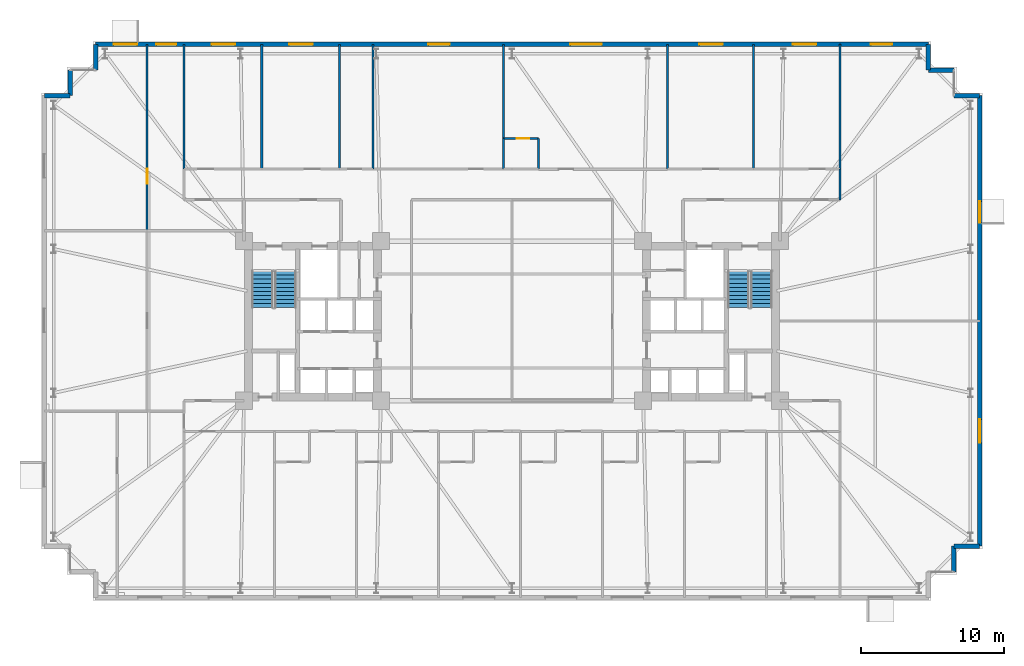
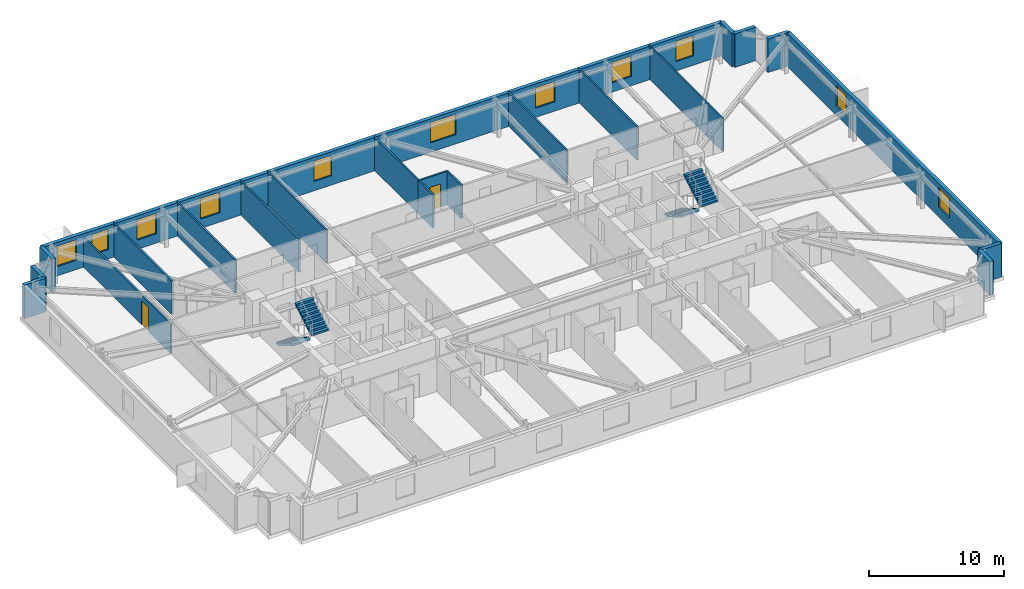
# One storey, part 18 of 20: 23 walls, 11 windows, 4 stair flights, 2 doors, 13 openings, 2 elements without a shape of their own.
"""IFC4 building model written with IfcOpenShell, lengths in metres."""

from ifc_helpers import new_model, si_unit, direction, frame, frame_2d, origin, place, context, subcontext, project, spatial, polyline, rectangle, outline, extrude, material, layer, layer_set, type_object, element, fill, aggregate, save


model = new_model("IFC4")

# Units and contexts
model_context = context("Model", 3, precision=1e-05, world=origin(), true_north=direction((0.0, 1.0)))
body_context = subcontext(model_context, "Body", "Model", "MODEL_VIEW")
ifc_project = project(units=[si_unit("LENGTHUNIT", "METRE"), si_unit("AREAUNIT", "SQUARE_METRE"), si_unit("VOLUMEUNIT", "CUBIC_METRE"), si_unit("PLANEANGLEUNIT", "RADIAN"), si_unit("MASSUNIT", "GRAM", prefix="KILO")], contexts=[model_context])

# Site, building, storey
site_placement = place(None, origin())
site = spatial("IfcSite", under=ifc_project, at=site_placement, CompositionType="ELEMENT")
building_placement = place(site_placement, origin())
building = spatial("IfcBuilding", under=site, at=building_placement, Name="Qobustan Lattice House", CompositionType="ELEMENT")
storey_placement = place(building_placement, frame((0.0, 0.0, 67.199951171875)))
storey = spatial("IfcBuildingStorey", under=building, at=storey_placement, Name="L18", CompositionType="ELEMENT", Elevation=67.199951171875)

# Walls
ifc_material_1 = material(Name="Precast concrete C40/50", Category="concrete")
ifc_layer_1 = layer(ifc_material_1, 0.320068359375)
ifc_layer_set_1 = layer_set([ifc_layer_1], Name="Precast concrete C40/50")
wall_type_1 = type_object("IfcWallType", Name="WAL-EXT-STONE-320", PredefinedType="SOLIDWALL", material=ifc_layer_set_1)
for number, where, z_axis, x_axis, name in (
    (1, (-32.800048828125, 15.800048828125, 0.0), (0.0, 0.0, 1.0), (1.0, 0.0, 0.0), "L18 exterior limestone-clad wall 6"),
    (2, (-31.0, 15.800048828125, 0.0), (0.0, 0.0, 1.0), (0.0, 1.0, 0.0), "L18 exterior limestone-clad wall 7"),
):
    element("IfcWall", number, at=place(storey_placement, frame(where, z_axis=z_axis, x_axis=x_axis)), inside=storey, type_object=wall_type_1, Name=name, PredefinedType="SOLIDWALL", context=body_context, shape_type="SweptSolid", body=[
        extrude(rectangle(XDim=1.800048828125, YDim=0.320068359375, at=frame_2d((0.89990234375, 0.0))), origin(), (0.0, 0.0, 1.0), 3.03515625),
    ])
wall_1_placement = place(storey_placement, frame((-29.199951171875, 17.60009765625, 0.0), z_axis=(0.0, 0.0, 1.0), x_axis=(0.0, 1.0, 0.0)))
element("IfcWall", 3, at=wall_1_placement, inside=storey, type_object=wall_type_1, Name="L18 exterior limestone-clad wall 9", PredefinedType="SOLIDWALL", context=body_context, shape_type="SweptSolid", body=[
    extrude(rectangle(XDim=1.7998046875, YDim=0.320068359375, at=frame_2d((0.89990234375, 0.0))), origin(), (0.0, 0.0, 1.0), 3.03515625),
])

# Wall, openings, windows
wall_2_placement = place(storey_placement, frame((-29.199951171875, 19.39990234375, 0.0), z_axis=(0.0, 0.0, 1.0), x_axis=(1.0, 0.0, 0.0)))
wall_2 = element("IfcWall", 4, at=wall_2_placement, inside=storey, type_object=wall_type_1, Name="L18 exterior limestone-clad wall 10", PredefinedType="SOLIDWALL", context=body_context, shape_type="SweptSolid", body=[
    extrude(rectangle(XDim=58.39990234375, YDim=0.320068359375, at=frame_2d((29.199951171875, 0.0))), origin(), (0.0, 0.0, 1.0), 3.03515625),
])
opening_1_placement = place(wall_2_placement, frame((1.2548828125, 0.0, 0.85009765625)))
opening_1 = element("IfcOpeningElement", 5, at=opening_1_placement, cuts=wall_2, Name="Opening WN-09", PredefinedType="OPENING", context=body_context, shape_type="SweptSolid", body=[
    extrude(rectangle(XDim=1.64990234375, YDim=1.85009765625, at=frame_2d((0.824951171875, 0.925048828125))), frame((0.0, 0.169921875, 0.0), z_axis=(0.0, -1.0, 0.0), x_axis=(1.0, 0.0, 0.0)), (0.0, 0.0, 1.0), 0.340087890625),
])
opening_2_placement = place(wall_2_placement, frame((4.260009765625, 0.0, 0.85009765625)))
opening_2 = element("IfcOpeningElement", 6, at=opening_2_placement, cuts=wall_2, Name="Opening WN-12", PredefinedType="OPENING", context=body_context, shape_type="SweptSolid", body=[
    extrude(rectangle(XDim=1.39990234375, YDim=1.85009765625, at=frame_2d((0.699951171875, 0.925048828125))), frame((0.0, 0.169921875, 0.0), z_axis=(0.0, -1.0, 0.0), x_axis=(1.0, 0.0, 0.0)), (0.0, 0.0, 1.0), 0.340087890625),
])
opening_3_placement = place(wall_2_placement, frame((8.135009765625, 0.0, 0.85009765625)))
opening_3 = element("IfcOpeningElement", 7, at=opening_3_placement, cuts=wall_2, Name="Opening WN-09", PredefinedType="OPENING", context=body_context, shape_type="SweptSolid", body=[
    extrude(rectangle(XDim=1.64990234375, YDim=1.85009765625, at=frame_2d((0.824951171875, 0.925048828125))), frame((0.0, 0.169921875, 0.0), z_axis=(0.0, -1.0, 0.0), x_axis=(1.0, 0.0, 0.0)), (0.0, 0.0, 1.0), 0.340087890625),
])
opening_4_placement = place(wall_2_placement, frame((13.574951171875, 0.0, 0.85009765625)))
opening_4 = element("IfcOpeningElement", 8, at=opening_4_placement, cuts=wall_2, Name="Opening WN-09", PredefinedType="OPENING", context=body_context, shape_type="SweptSolid", body=[
    extrude(rectangle(XDim=1.64990234375, YDim=1.85009765625, at=frame_2d((0.824951171875, 0.925048828125))), frame((0.0, 0.169921875, 0.0), z_axis=(0.0, -1.0, 0.0), x_axis=(1.0, 0.0, 0.0)), (0.0, 0.0, 1.0), 0.340087890625),
])
opening_5_placement = place(wall_2_placement, frame((23.330078125, 0.0, 0.85009765625)))
opening_5 = element("IfcOpeningElement", 9, at=opening_5_placement, cuts=wall_2, Name="Opening WN-01", PredefinedType="OPENING", context=body_context, shape_type="SweptSolid", body=[
    extrude(rectangle(XDim=1.5, YDim=1.85009765625, at=frame_2d((0.75, 0.925048828125))), frame((0.0, 0.169921875, 0.0), z_axis=(0.0, -1.0, 0.0), x_axis=(1.0, 0.0, 0.0)), (0.0, 0.0, 1.0), 0.340087890625),
])
opening_6_placement = place(wall_2_placement, frame((33.300048828125, 0.0, 0.85009765625)))
opening_6 = element("IfcOpeningElement", 10, at=opening_6_placement, cuts=wall_2, Name="Opening WN-03", PredefinedType="OPENING", context=body_context, shape_type="SweptSolid", body=[
    extrude(rectangle(XDim=2.199951171875, YDim=1.85009765625, at=frame_2d((1.10009765625, 0.925048828125))), frame((0.0, 0.169921875, 0.0), z_axis=(0.0, -1.0, 0.0), x_axis=(1.0, 0.0, 0.0)), (0.0, 0.0, 1.0), 0.340087890625),
])
opening_7_placement = place(wall_2_placement, frame((42.3349609375, 0.0, 0.85009765625)))
opening_7 = element("IfcOpeningElement", 11, at=opening_7_placement, cuts=wall_2, Name="Opening WN-09", PredefinedType="OPENING", context=body_context, shape_type="SweptSolid", body=[
    extrude(rectangle(XDim=1.64990234375, YDim=1.85009765625, at=frame_2d((0.824951171875, 0.925048828125))), frame((0.0, 0.169921875, 0.0), z_axis=(0.0, -1.0, 0.0), x_axis=(1.0, 0.0, 0.0)), (0.0, 0.0, 1.0), 0.340087890625),
])
opening_8_placement = place(wall_2_placement, frame((48.904541015625, 0.0, 0.85009765625)))
opening_8 = element("IfcOpeningElement", 12, at=opening_8_placement, cuts=wall_2, Name="Opening WN-09", PredefinedType="OPENING", context=body_context, shape_type="SweptSolid", body=[
    extrude(rectangle(XDim=1.64990234375, YDim=1.85009765625, at=frame_2d((0.824951171875, 0.925048828125))), frame((0.0, 0.169921875, 0.0), z_axis=(0.0, -1.0, 0.0), x_axis=(1.0, 0.0, 0.0)), (0.0, 0.0, 1.0), 0.340087890625),
])
opening_9_placement = place(wall_2_placement, frame((54.3701171875, 0.0, 0.85009765625)))
opening_9 = element("IfcOpeningElement", 13, at=opening_9_placement, cuts=wall_2, Name="Opening WN-01", PredefinedType="OPENING", context=body_context, shape_type="SweptSolid", body=[
    extrude(rectangle(XDim=1.5, YDim=1.85009765625, at=frame_2d((0.75, 0.925048828125))), frame((0.0, 0.169921875, 0.0), z_axis=(0.0, -1.0, 0.0), x_axis=(1.0, 0.0, 0.0)), (0.0, 0.0, 1.0), 0.340087890625),
])
ifc_material_2 = material(Name="Double-glazed low-E aluminium window", Category="aluminium")
window_type_1 = type_object("IfcWindowType", Name="WIN-BED-1400x1850", PartitioningType="SINGLE_PANEL", PredefinedType="WINDOW", material=ifc_material_2)
window_1_placement = place(opening_2_placement, origin())
window_1 = element("IfcWindow", 14, at=window_1_placement, inside=storey, type_object=window_type_1, Name="L18 Focus study room W3B window", OverallHeight=1.85009765625, OverallWidth=1.39990234375, PartitioningType="SINGLE_PANEL", PredefinedType="WINDOW", context=body_context, shape_type="SweptSolid", body=[
    extrude(rectangle(XDim=1.39990234375, YDim=1.85009765625, at=frame_2d((0.699951171875, 0.925048828125))), frame((0.0, 0.030029296875, 0.0), z_axis=(0.0, -1.0, 0.0), x_axis=(1.0, 0.0, 0.0)), (0.0, 0.0, 1.0), 0.06005859375),
])
fill(opening_2, window_1)
ifc_material_3 = material(Name="Double-glazed low-E aluminium window", Category="aluminium")
window_type_2 = type_object("IfcWindowType", Name="WIN-BED-1500x1850", PartitioningType="SINGLE_PANEL", PredefinedType="WINDOW", material=ifc_material_3)
window_2_placement = place(opening_5_placement, origin())
window_2 = element("IfcWindow", 15, at=window_2_placement, inside=storey, type_object=window_type_2, Name="L18 Laundry utility room window", OverallHeight=1.85009765625, OverallWidth=1.5, PartitioningType="SINGLE_PANEL", PredefinedType="WINDOW", context=body_context, shape_type="SweptSolid", body=[
    extrude(rectangle(XDim=1.5, YDim=1.85009765625, at=frame_2d((0.75, 0.925048828125))), frame((0.0, 0.030029296875, 0.0), z_axis=(0.0, -1.0, 0.0), x_axis=(1.0, 0.0, 0.0)), (0.0, 0.0, 1.0), 0.06005859375),
])
fill(opening_5, window_2)
window_3_placement = place(opening_9_placement, origin())
window_3 = element("IfcWindow", 16, at=window_3_placement, inside=storey, type_object=window_type_2, Name="L18 Music and podcast studio window", OverallHeight=1.85009765625, OverallWidth=1.5, PartitioningType="SINGLE_PANEL", PredefinedType="WINDOW", context=body_context, shape_type="SweptSolid", body=[
    extrude(rectangle(XDim=1.5, YDim=1.85009765625, at=frame_2d((0.75, 0.925048828125))), frame((0.0, 0.030029296875, 0.0), z_axis=(0.0, -1.0, 0.0), x_axis=(1.0, 0.0, 0.0)), (0.0, 0.0, 1.0), 0.06005859375),
])
fill(opening_9, window_3)
ifc_material_4 = material(Name="Double-glazed low-E aluminium window", Category="aluminium")
window_type_3 = type_object("IfcWindowType", Name="WIN-STU-1650x1850", PartitioningType="SINGLE_PANEL", PredefinedType="WINDOW", material=ifc_material_4)
window_4_placement = place(opening_1_placement, origin())
window_4 = element("IfcWindow", 17, at=window_4_placement, inside=storey, type_object=window_type_3, Name="L18 Focus study room W3A window", OverallHeight=1.85009765625, OverallWidth=1.64990234375, PartitioningType="SINGLE_PANEL", PredefinedType="WINDOW", context=body_context, shape_type="SweptSolid", body=[
    extrude(rectangle(XDim=1.64990234375, YDim=1.85009765625, at=frame_2d((0.824951171875, 0.925048828125))), frame((0.0, 0.030029296875, 0.0), z_axis=(0.0, -1.0, 0.0), x_axis=(1.0, 0.0, 0.0)), (0.0, 0.0, 1.0), 0.06005859375),
])
fill(opening_1, window_4)
window_5_placement = place(opening_3_placement, origin())
window_5 = element("IfcWindow", 18, at=window_5_placement, inside=storey, type_object=window_type_3, Name="L18 Focus study room N1A window", OverallHeight=1.85009765625, OverallWidth=1.64990234375, PartitioningType="SINGLE_PANEL", PredefinedType="WINDOW", context=body_context, shape_type="SweptSolid", body=[
    extrude(rectangle(XDim=1.64990234375, YDim=1.85009765625, at=frame_2d((0.824951171875, 0.925048828125))), frame((0.0, 0.030029296875, 0.0), z_axis=(0.0, -1.0, 0.0), x_axis=(1.0, 0.0, 0.0)), (0.0, 0.0, 1.0), 0.06005859375),
])
fill(opening_3, window_5)
window_6_placement = place(opening_4_placement, origin())
window_6 = element("IfcWindow", 19, at=window_6_placement, inside=storey, type_object=window_type_3, Name="L18 Focus study room N1B window", OverallHeight=1.85009765625, OverallWidth=1.64990234375, PartitioningType="SINGLE_PANEL", PredefinedType="WINDOW", context=body_context, shape_type="SweptSolid", body=[
    extrude(rectangle(XDim=1.64990234375, YDim=1.85009765625, at=frame_2d((0.824951171875, 0.925048828125))), frame((0.0, 0.030029296875, 0.0), z_axis=(0.0, -1.0, 0.0), x_axis=(1.0, 0.0, 0.0)), (0.0, 0.0, 1.0), 0.06005859375),
])
fill(opening_4, window_6)
window_7_placement = place(opening_7_placement, origin())
window_7 = element("IfcWindow", 20, at=window_7_placement, inside=storey, type_object=window_type_3, Name="L18 Focus study room N4A window", OverallHeight=1.85009765625, OverallWidth=1.64990234375, PartitioningType="SINGLE_PANEL", PredefinedType="WINDOW", context=body_context, shape_type="SweptSolid", body=[
    extrude(rectangle(XDim=1.64990234375, YDim=1.85009765625, at=frame_2d((0.824951171875, 0.925048828125))), frame((0.0, 0.030029296875, 0.0), z_axis=(0.0, -1.0, 0.0), x_axis=(1.0, 0.0, 0.0)), (0.0, 0.0, 1.0), 0.06005859375),
])
fill(opening_7, window_7)
window_8_placement = place(opening_8_placement, origin())
window_8 = element("IfcWindow", 21, at=window_8_placement, inside=storey, type_object=window_type_3, Name="L18 Focus study room N4B window", OverallHeight=1.85009765625, OverallWidth=1.64990234375, PartitioningType="SINGLE_PANEL", PredefinedType="WINDOW", context=body_context, shape_type="SweptSolid", body=[
    extrude(rectangle(XDim=1.64990234375, YDim=1.85009765625, at=frame_2d((0.824951171875, 0.925048828125))), frame((0.0, 0.030029296875, 0.0), z_axis=(0.0, -1.0, 0.0), x_axis=(1.0, 0.0, 0.0)), (0.0, 0.0, 1.0), 0.06005859375),
])
fill(opening_8, window_8)
ifc_material_5 = material(Name="Double-glazed low-E aluminium window", Category="aluminium")
window_type_4 = type_object("IfcWindowType", Name="WIN-WIDE-2200x1850", PartitioningType="SINGLE_PANEL", PredefinedType="WINDOW", material=ifc_material_5)
window_9_placement = place(opening_6_placement, origin())
window_9 = element("IfcWindow", 22, at=window_9_placement, inside=storey, type_object=window_type_4, Name="L18 Kitchenette and studio apartment L18-N3 window", OverallHeight=1.85009765625, OverallWidth=2.199951171875, PartitioningType="SINGLE_PANEL", PredefinedType="WINDOW", context=body_context, shape_type="SweptSolid", body=[
    extrude(rectangle(XDim=2.199951171875, YDim=1.85009765625, at=frame_2d((1.10009765625, 0.925048828125))), frame((0.0, 0.030029296875, 0.0), z_axis=(0.0, -1.0, 0.0), x_axis=(1.0, 0.0, 0.0)), (0.0, 0.0, 1.0), 0.06005859375),
])
fill(opening_6, window_9)

# Walls
wall_3_placement = place(storey_placement, frame((29.199951171875, 19.39990234375, 0.0), z_axis=(0.0, 0.0, 1.0), x_axis=(0.0, -1.0, 0.0)))
element("IfcWall", 23, at=wall_3_placement, inside=storey, type_object=wall_type_1, Name="L18 exterior limestone-clad wall 11", PredefinedType="SOLIDWALL", context=body_context, shape_type="SweptSolid", body=[
    extrude(rectangle(XDim=1.7998046875, YDim=0.320068359375, at=frame_2d((0.89990234375, 0.0))), origin(), (0.0, 0.0, 1.0), 3.03515625),
])
for number, where, z_axis, x_axis, name in (
    (24, (29.199951171875, 17.60009765625, 0.0), (0.0, 0.0, 1.0), (1.0, 0.0, 0.0), "L18 exterior limestone-clad wall 12"),
    (25, (31.0, 15.800048828125, 0.0), (0.0, 0.0, 1.0), (1.0, 0.0, 0.0), "L18 exterior limestone-clad wall 14"),
):
    element("IfcWall", number, at=place(storey_placement, frame(where, z_axis=z_axis, x_axis=x_axis)), inside=storey, type_object=wall_type_1, Name=name, PredefinedType="SOLIDWALL", context=body_context, shape_type="SweptSolid", body=[
        extrude(rectangle(XDim=1.800048828125, YDim=0.320068359375, at=frame_2d((0.89990234375, 0.0))), origin(), (0.0, 0.0, 1.0), 3.03515625),
    ])

# Wall, openings, windows
wall_4_placement = place(storey_placement, frame((32.800048828125, 15.800048828125, 0.0), z_axis=(0.0, 0.0, 1.0), x_axis=(0.0, -1.0, 0.0)))
wall_4 = element("IfcWall", 26, at=wall_4_placement, inside=storey, type_object=wall_type_1, Name="L18 exterior limestone-clad wall 15", PredefinedType="SOLIDWALL", context=body_context, shape_type="SweptSolid", body=[
    extrude(rectangle(XDim=31.60009765625, YDim=0.320068359375, at=frame_2d((15.800048828125, 0.0))), origin(), (0.0, 0.0, 1.0), 3.03515625),
])
opening_10_placement = place(wall_4_placement, frame((7.409912109375, 0.0, 0.85009765625)))
opening_10 = element("IfcOpeningElement", 27, at=opening_10_placement, cuts=wall_4, Name="Opening WN-01", PredefinedType="OPENING", context=body_context, shape_type="SweptSolid", body=[
    extrude(rectangle(XDim=1.5, YDim=1.85009765625, at=frame_2d((0.75, 0.925048828125))), frame((0.0, 0.169921875, 0.0), z_axis=(0.0, -1.0, 0.0), x_axis=(1.0, 0.0, 0.0)), (0.0, 0.0, 1.0), 0.340087890625),
])
opening_11_placement = place(wall_4_placement, frame((22.695068359375, 0.0, 0.85009765625)))
opening_11 = element("IfcOpeningElement", 28, at=opening_11_placement, cuts=wall_4, Name="Opening WN-09", PredefinedType="OPENING", context=body_context, shape_type="SweptSolid", body=[
    extrude(rectangle(XDim=1.64990234375, YDim=1.85009765625, at=frame_2d((0.824951171875, 0.925048828125))), frame((0.0, 0.169921875, 0.0), z_axis=(0.0, -1.0, 0.0), x_axis=(1.0, 0.0, 0.0)), (0.0, 0.0, 1.0), 0.340087890625),
])
window_10_placement = place(opening_10_placement, origin())
window_10 = element("IfcWindow", 29, at=window_10_placement, inside=storey, type_object=window_type_2, Name="L18 Music and podcast studio window", OverallHeight=1.85009765625, OverallWidth=1.5, PartitioningType="SINGLE_PANEL", PredefinedType="WINDOW", context=body_context, shape_type="SweptSolid", body=[
    extrude(rectangle(XDim=1.5, YDim=1.85009765625, at=frame_2d((0.75, 0.925048828125))), frame((0.0, 0.030029296875, 0.0), z_axis=(0.0, -1.0, 0.0), x_axis=(1.0, 0.0, 0.0)), (0.0, 0.0, 1.0), 0.06005859375),
])
fill(opening_10, window_10)
window_11_placement = place(opening_11_placement, origin())
window_11 = element("IfcWindow", 30, at=window_11_placement, inside=storey, type_object=window_type_3, Name="L18 Academic seminar room window", OverallHeight=1.85009765625, OverallWidth=1.64990234375, PartitioningType="SINGLE_PANEL", PredefinedType="WINDOW", context=body_context, shape_type="SweptSolid", body=[
    extrude(rectangle(XDim=1.64990234375, YDim=1.85009765625, at=frame_2d((0.824951171875, 0.925048828125))), frame((0.0, 0.030029296875, 0.0), z_axis=(0.0, -1.0, 0.0), x_axis=(1.0, 0.0, 0.0)), (0.0, 0.0, 1.0), 0.06005859375),
])
fill(opening_11, window_11)

# Walls
for number, where, z_axis, x_axis, name in (
    (31, (32.800048828125, -15.800048828125, 0.0), (0.0, 0.0, 1.0), (-1.0, 0.0, 0.0), "L18 exterior limestone-clad wall 16"),
    (32, (31.0, -15.800048828125, 0.0), (0.0, 0.0, 1.0), (0.0, -1.0, 0.0), "L18 exterior limestone-clad wall 17"),
):
    element("IfcWall", number, at=place(storey_placement, frame(where, z_axis=z_axis, x_axis=x_axis)), inside=storey, type_object=wall_type_1, Name=name, PredefinedType="SOLIDWALL", context=body_context, shape_type="SweptSolid", body=[
        extrude(rectangle(XDim=1.800048828125, YDim=0.320068359375, at=frame_2d((0.89990234375, 0.0))), origin(), (0.0, 0.0, 1.0), 3.03515625),
    ])
ifc_material_6 = material(Name="Lightweight acoustic stud partition", Category="gypsum")
ifc_layer_2 = layer(ifc_material_6, 0.125)
ifc_layer_set_2 = layer_set([ifc_layer_2], Name="Lightweight acoustic stud partition")
wall_type_2 = type_object("IfcWallType", Name="WAL-PART-125", PredefinedType="PARTITIONING", material=ifc_layer_set_2)
wall_5_placement = place(storey_placement, frame((23.0, 10.64990234375, 0.0), z_axis=(0.0, 0.0, 1.0), x_axis=(0.0, -1.0, 0.0)))
element("IfcWall", 33, at=wall_5_placement, inside=storey, type_object=wall_type_2, Name="L18 interior partition 48", PredefinedType="PARTITIONING", context=body_context, shape_type="SweptSolid", body=[
    extrude(rectangle(XDim=2.14990234375, YDim=0.125, at=frame_2d((1.074951171875, 0.0))), origin(), (0.0, 0.0, 1.0), 3.03515625),
])
wall_6_placement = place(storey_placement, frame((23.0, 10.64990234375, 0.0), z_axis=(0.0, 0.0, 1.0), x_axis=(0.0, 1.0, 0.0)))
element("IfcWall", 34, at=wall_6_placement, inside=storey, type_object=wall_type_2, Name="L18 interior partition 90", PredefinedType="PARTITIONING", context=body_context, shape_type="SweptSolid", body=[
    extrude(rectangle(XDim=8.75, YDim=0.125, at=frame_2d((4.375, 0.0))), origin(), (0.0, 0.0, 1.0), 3.03515625),
])

# Wall, opening, door
ifc_material_7 = material(Name="Acoustic twin-stud gypsum partition", Category="gypsum")
ifc_layer_3 = layer(ifc_material_7, 0.14990234375)
ifc_layer_set_3 = layer_set([ifc_layer_3], Name="Acoustic twin-stud gypsum partition")
wall_type_3 = type_object("IfcWallType", Name="WAL-PART-150", PredefinedType="PARTITIONING", material=ifc_layer_set_3)
wall_7_placement = place(storey_placement, frame((-25.590087890625, 19.39990234375, 0.0), z_axis=(0.0, 0.0, 1.0), x_axis=(0.0, -1.0, 0.0)))
wall_7 = element("IfcWall", 35, at=wall_7_placement, inside=storey, type_object=wall_type_3, Name="L18 interior partition 86", PredefinedType="PARTITIONING", context=body_context, shape_type="SweptSolid", body=[
    extrude(rectangle(XDim=13.072998046875, YDim=0.14990234375, at=frame_2d((6.53662109375, 0.0))), origin(), (0.0, 0.0, 1.0), 2.68994140625),
])
opening_12_placement = place(wall_7_placement, frame((8.727294921875, 0.0, 0.0)))
opening_12 = element("IfcOpeningElement", 36, at=opening_12_placement, cuts=wall_7, Name="Opening ID-02", PredefinedType="OPENING", context=body_context, shape_type="SweptSolid", body=[
    extrude(rectangle(XDim=1.050048828125, YDim=2.14990234375, at=frame_2d((0.52490234375, 1.074951171875))), frame((0.0, 0.0849609375, 0.0), z_axis=(0.0, -1.0, 0.0), x_axis=(1.0, 0.0, 0.0)), (0.0, 0.0, 1.0), 0.169921875),
])
ifc_material_8 = material(Name="Persian walnut timber and steel frame door", Category="steel")
door_type_1 = type_object("IfcDoorType", Name="DOR-STUDY-1050x2150", OperationType="NOTDEFINED", PredefinedType="DOOR", material=ifc_material_8)
door_1_placement = place(opening_12_placement, origin())
door_1 = element("IfcDoor", 37, at=door_1_placement, inside=storey, type_object=door_type_1, Name="L18 Focus study room W3A to Focus study room W3B door", OperationType="SINGLE_SWING_LEFT", OverallHeight=2.14990234375, OverallWidth=1.050048828125, PredefinedType="DOOR", context=body_context, shape_type="SweptSolid", body=[
    extrude(rectangle(XDim=1.050048828125, YDim=2.14990234375, at=frame_2d((0.52490234375, 1.074951171875))), frame((0.0, 0.02490234375, 0.0), z_axis=(0.0, -1.0, 0.0), x_axis=(1.0, 0.0, 0.0)), (0.0, 0.0, 1.0), 0.050048828125),
])
fill(opening_12, door_1)

# Walls
for number, where, z_axis, x_axis, name in (
    (38, (-23.0, 19.39990234375, 0.0), (0.0, 0.0, 1.0), (0.0, -1.0, 0.0), "L18 interior partition 87"),
    (39, (-17.550048828125, 19.39990234375, 0.0), (0.0, 0.0, 1.0), (0.0, -1.0, 0.0), "L18 interior partition 91"),
):
    element("IfcWall", number, at=place(storey_placement, frame(where, z_axis=z_axis, x_axis=x_axis)), inside=storey, type_object=wall_type_3, Name=name, PredefinedType="PARTITIONING", context=body_context, shape_type="SweptSolid", body=[
        extrude(rectangle(XDim=8.75, YDim=0.14990234375, at=frame_2d((4.375, 0.0))), origin(), (0.0, 0.0, 1.0), 3.03515625),
    ])
wall_8_placement = place(storey_placement, frame((-0.60009765625, 19.39990234375, 0.0), z_axis=(0.0, 0.0, 1.0), x_axis=(0.0, -1.0, 0.0)))
element("IfcWall", 40, at=wall_8_placement, inside=storey, type_object=wall_type_3, Name="L18 interior partition 94", PredefinedType="PARTITIONING", context=body_context, shape_type="SweptSolid", body=[
    extrude(rectangle(XDim=6.599853515625, YDim=0.14990234375, at=frame_2d((3.2998046875, 0.0))), origin(), (0.0, 0.0, 1.0), 3.03515625),
])
for number, where, z_axis, x_axis, name in (
    (41, (10.89990234375, 19.39990234375, 0.0), (0.0, 0.0, 1.0), (0.0, -1.0, 0.0), "L18 interior partition 98"),
    (42, (16.949951171875, 19.39990234375, 0.0), (0.0, 0.0, 1.0), (0.0, -1.0, 0.0), "L18 interior partition 99"),
):
    element("IfcWall", number, at=place(storey_placement, frame(where, z_axis=z_axis, x_axis=x_axis)), inside=storey, type_object=wall_type_3, Name=name, PredefinedType="PARTITIONING", context=body_context, shape_type="SweptSolid", body=[
        extrude(rectangle(XDim=8.75, YDim=0.14990234375, at=frame_2d((4.375, 0.0))), origin(), (0.0, 0.0, 1.0), 3.03515625),
    ])
ifc_material_9 = material(Name="Moisture-resistant acoustic plumbing wall", Category="gypsum")
ifc_layer_4 = layer(ifc_material_9, 0.14990234375)
ifc_layer_set_4 = layer_set([ifc_layer_4], Name="Moisture-resistant acoustic plumbing wall")
wall_type_4 = type_object("IfcWallType", Name="WAL-WET-150", PredefinedType="PLUMBINGWALL", material=ifc_layer_set_4)
for number, where, z_axis, x_axis, name in (
    (43, (-12.10009765625, 19.39990234375, 0.0), (0.0, 0.0, 1.0), (0.0, -1.0, 0.0), "L18 interior partition 92"),
    (44, (-9.75, 19.39990234375, 0.0), (0.0, 0.0, 1.0), (0.0, -1.0, 0.0), "L18 interior partition 93"),
):
    element("IfcWall", number, at=place(storey_placement, frame(where, z_axis=z_axis, x_axis=x_axis)), inside=storey, type_object=wall_type_4, Name=name, PredefinedType="PLUMBINGWALL", context=body_context, shape_type="SweptSolid", body=[
        extrude(rectangle(XDim=8.75, YDim=0.14990234375, at=frame_2d((4.375, 0.0))), origin(), (0.0, 0.0, 1.0), 3.03515625),
    ])
wall_9_placement = place(storey_placement, frame((-0.60009765625, 12.800048828125, 0.0), z_axis=(0.0, 0.0, 1.0), x_axis=(0.0, -1.0, 0.0)))
element("IfcWall", 45, at=wall_9_placement, inside=storey, type_object=wall_type_4, Name="L18 interior partition 95", PredefinedType="PLUMBINGWALL", context=body_context, shape_type="SweptSolid", body=[
    extrude(rectangle(XDim=2.150146484375, YDim=0.14990234375, at=frame_2d((1.0751953125, 0.0))), origin(), (0.0, 0.0, 1.0), 3.03515625),
])

# Wall, opening, door
wall_10_placement = place(storey_placement, frame((1.85009765625, 12.800048828125, 0.0), z_axis=(0.0, 0.0, 1.0), x_axis=(-1.0, 0.0, 0.0)))
wall_10 = element("IfcWall", 46, at=wall_10_placement, inside=storey, type_object=wall_type_4, Name="L18 interior partition 96", PredefinedType="PLUMBINGWALL", context=body_context, shape_type="SweptSolid", body=[
    extrude(rectangle(XDim=2.4501953125, YDim=0.14990234375, at=frame_2d((1.22509765625, 0.0))), origin(), (0.0, 0.0, 1.0), 3.03515625),
])
opening_13_placement = place(wall_10_placement, frame((0.62890625, 0.0, 0.0)))
opening_13 = element("IfcOpeningElement", 47, at=opening_13_placement, cuts=wall_10, Name="Opening WD-01", PredefinedType="OPENING", context=body_context, shape_type="SweptSolid", body=[
    extrude(rectangle(XDim=0.89990234375, YDim=2.10009765625, at=frame_2d((0.449951171875, 1.050048828125))), frame((0.0, 0.0849609375, 0.0), z_axis=(0.0, -1.0, 0.0), x_axis=(1.0, 0.0, 0.0)), (0.0, 0.0, 1.0), 0.169921875),
])
ifc_material_10 = material(Name="Persian walnut timber and steel frame door", Category="steel")
door_type_2 = type_object("IfcDoorType", Name="DOR-WET-900x2100", OperationType="NOTDEFINED", PredefinedType="DOOR", material=ifc_material_10)
door_2_placement = place(opening_13_placement, origin())
door_2 = element("IfcDoor", 48, at=door_2_placement, inside=storey, type_object=door_type_2, Name="L18 Kitchenette and studio apartment L18-N3 to En-suite bathroom L18-N3 door", OperationType="SINGLE_SWING_RIGHT", OverallHeight=2.10009765625, OverallWidth=0.89990234375, PredefinedType="DOOR", context=body_context, shape_type="SweptSolid", body=[
    extrude(rectangle(XDim=0.89990234375, YDim=2.10009765625, at=frame_2d((0.449951171875, 1.050048828125))), frame((0.0, 0.02490234375, 0.0), z_axis=(0.0, -1.0, 0.0), x_axis=(1.0, 0.0, 0.0)), (0.0, 0.0, 1.0), 0.050048828125),
])
fill(opening_13, door_2)

# Wall
wall_11_placement = place(storey_placement, frame((1.85009765625, 10.64990234375, 0.0), z_axis=(0.0, 0.0, 1.0), x_axis=(0.0, 1.0, 0.0)))
element("IfcWall", 49, at=wall_11_placement, inside=storey, type_object=wall_type_4, Name="L18 interior partition 97", PredefinedType="PLUMBINGWALL", context=body_context, shape_type="SweptSolid", body=[
    extrude(rectangle(XDim=2.150146484375, YDim=0.14990234375, at=frame_2d((1.0751953125, 0.0))), origin(), (0.0, 0.0, 1.0), 3.03515625),
])

# Stair, stair flights
ifc_material_11 = material(Name="Concrete C40/50", Category="concrete")
stair_type = type_object("IfcStairType", Name="STR-CORE-DOGLEG", PredefinedType="HALF_TURN_STAIR", material=ifc_material_11)
stair_1_placement = place(storey_placement, origin())
stair_1 = element("IfcStair", 50, at=stair_1_placement, inside=storey, type_object=stair_type, Name="L18 West protected exit stair ST-W1", PredefinedType="HALF_TURN_STAIR")
ifc_material_12 = material(Name="Concrete C40/50", Category="concrete")
stair_flight_type = type_object("IfcStairFlightType", Name="SFL-RC-1500", PredefinedType="STRAIGHT", material=ifc_material_12)
stair_flight_1_placement = place(storey_placement, frame((-17.5, 3.5, 0.0), z_axis=(0.0, 0.0, 1.0), x_axis=(0.0, -1.0, 0.0)))
stair_flight_1 = element("IfcStairFlight", 51, at=stair_flight_1_placement, type_object=stair_flight_type, Name="ST-W1 flight 1", NumberOfRisers=10, NumberOfTreads=9, PredefinedType="STRAIGHT", RiserHeight=0.1675, TreadLength=0.285, context=body_context, shape_type="SweptSolid", body=[
    extrude(outline(polyline([(0.0, 0.0), (0.0, 0.16748046875), (0.284912109375, 0.16748046875), (0.284912109375, 0.3349609375), (0.570068359375, 0.3349609375), (0.570068359375, 0.50244140625), (0.85498046875, 0.50244140625), (0.85498046875, 0.669921875), (1.139892578125, 0.669921875), (1.139892578125, 0.83740234375), (1.425048828125, 0.83740234375), (1.425048828125, 1.0048828125), (1.7099609375, 1.0048828125), (1.7099609375, 1.172607421875), (1.9951171875, 1.172607421875), (1.9951171875, 1.340087890625), (2.280029296875, 1.340087890625), (2.280029296875, 1.507568359375), (2.56494140625, 1.507568359375), (2.56494140625, 1.675048828125), (2.56494140625, 1.333740234375), (0.2958984375, 0.0), (0.0, 0.0)])), frame((0.0, 0.75, 0.0), z_axis=(0.0, -1.0, 0.0), x_axis=(1.0, 0.0, 0.0)), (0.0, 0.0, 1.0), 1.5),
])
stair_flight_2_placement = place(storey_placement, frame((-15.8798828125, 0.93505859375, 1.675048828125), z_axis=(0.0, 0.0, 1.0), x_axis=(0.0, 1.0, 0.0)))
stair_flight_2 = element("IfcStairFlight", 52, at=stair_flight_2_placement, type_object=stair_flight_type, Name="ST-W1 flight 2", NumberOfRisers=10, NumberOfTreads=9, PredefinedType="STRAIGHT", RiserHeight=0.1675, TreadLength=0.285, context=body_context, shape_type="SweptSolid", body=[
    extrude(outline(polyline([(0.0, 0.0), (0.0, 0.16748046875), (0.284912109375, 0.16748046875), (0.284912109375, 0.3349609375), (0.570068359375, 0.3349609375), (0.570068359375, 0.50244140625), (0.85498046875, 0.50244140625), (0.85498046875, 0.669921875), (1.139892578125, 0.669921875), (1.139892578125, 0.83740234375), (1.425048828125, 0.83740234375), (1.425048828125, 1.0048828125), (1.7099609375, 1.0048828125), (1.7099609375, 1.172607421875), (1.9951171875, 1.172607421875), (1.9951171875, 1.340087890625), (2.280029296875, 1.340087890625), (2.280029296875, 1.507568359375), (2.56494140625, 1.507568359375), (2.56494140625, 1.675048828125), (2.56494140625, 1.333740234375), (0.2958984375, 0.0), (0.0, 0.0)])), frame((0.0, 0.75, 0.0), z_axis=(0.0, -1.0, 0.0), x_axis=(1.0, 0.0, 0.0)), (0.0, 0.0, 1.0), 1.5),
])
aggregate(stair_1, [stair_flight_1, stair_flight_2])

stair_2_placement = place(storey_placement, origin())
stair_2 = element("IfcStair", 53, at=stair_2_placement, inside=storey, type_object=stair_type, Name="L18 East protected exit stair ST-E1", PredefinedType="HALF_TURN_STAIR")
stair_flight_3_placement = place(storey_placement, frame((15.8798828125, 3.5, 0.0), z_axis=(0.0, 0.0, 1.0), x_axis=(0.0, -1.0, 0.0)))
stair_flight_3 = element("IfcStairFlight", 54, at=stair_flight_3_placement, type_object=stair_flight_type, Name="ST-E1 flight 1", NumberOfRisers=10, NumberOfTreads=9, PredefinedType="STRAIGHT", RiserHeight=0.1675, TreadLength=0.285, context=body_context, shape_type="SweptSolid", body=[
    extrude(outline(polyline([(0.0, 0.0), (0.0, 0.16748046875), (0.284912109375, 0.16748046875), (0.284912109375, 0.3349609375), (0.570068359375, 0.3349609375), (0.570068359375, 0.50244140625), (0.85498046875, 0.50244140625), (0.85498046875, 0.669921875), (1.139892578125, 0.669921875), (1.139892578125, 0.83740234375), (1.425048828125, 0.83740234375), (1.425048828125, 1.0048828125), (1.7099609375, 1.0048828125), (1.7099609375, 1.172607421875), (1.9951171875, 1.172607421875), (1.9951171875, 1.340087890625), (2.280029296875, 1.340087890625), (2.280029296875, 1.507568359375), (2.56494140625, 1.507568359375), (2.56494140625, 1.675048828125), (2.56494140625, 1.333740234375), (0.2958984375, 0.0), (0.0, 0.0)])), frame((0.0, 0.75, 0.0), z_axis=(0.0, -1.0, 0.0), x_axis=(1.0, 0.0, 0.0)), (0.0, 0.0, 1.0), 1.5),
])
stair_flight_4_placement = place(storey_placement, frame((17.5, 0.93505859375, 1.675048828125), z_axis=(0.0, 0.0, 1.0), x_axis=(0.0, 1.0, 0.0)))
stair_flight_4 = element("IfcStairFlight", 55, at=stair_flight_4_placement, type_object=stair_flight_type, Name="ST-E1 flight 2", NumberOfRisers=10, NumberOfTreads=9, PredefinedType="STRAIGHT", RiserHeight=0.1675, TreadLength=0.285, context=body_context, shape_type="SweptSolid", body=[
    extrude(outline(polyline([(0.0, 0.0), (0.0, 0.16748046875), (0.284912109375, 0.16748046875), (0.284912109375, 0.3349609375), (0.570068359375, 0.3349609375), (0.570068359375, 0.50244140625), (0.85498046875, 0.50244140625), (0.85498046875, 0.669921875), (1.139892578125, 0.669921875), (1.139892578125, 0.83740234375), (1.425048828125, 0.83740234375), (1.425048828125, 1.0048828125), (1.7099609375, 1.0048828125), (1.7099609375, 1.172607421875), (1.9951171875, 1.172607421875), (1.9951171875, 1.340087890625), (2.280029296875, 1.340087890625), (2.280029296875, 1.507568359375), (2.56494140625, 1.507568359375), (2.56494140625, 1.675048828125), (2.56494140625, 1.333740234375), (0.2958984375, 0.0), (0.0, 0.0)])), frame((0.0, 0.75, 0.0), z_axis=(0.0, -1.0, 0.0), x_axis=(1.0, 0.0, 0.0)), (0.0, 0.0, 1.0), 1.5),
])
aggregate(stair_2, [stair_flight_3, stair_flight_4])

save(model, "model.ifc")
